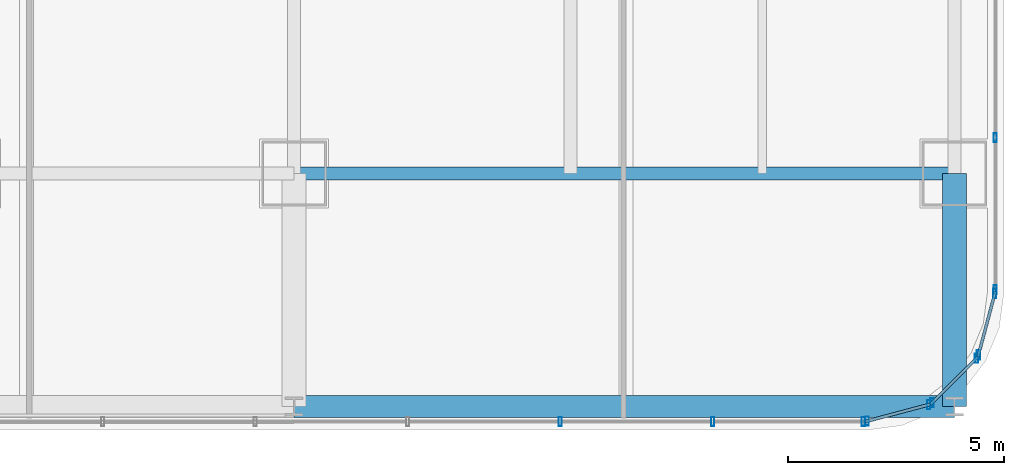
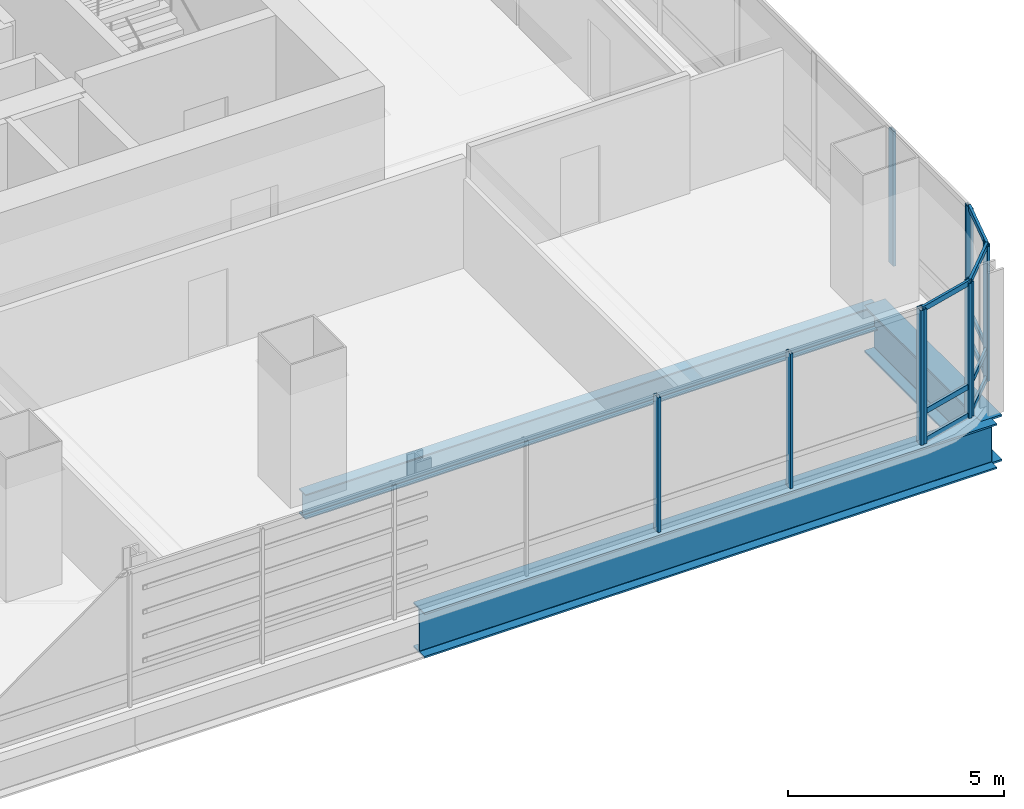
# One storey, part 13 of 36: 20 members, 3 beams, 5 elements without a shape of their own.
"""IFC4 building model written with IfcOpenShell, lengths in metres."""

import ifcopenshell
import ifcopenshell.guid

model = None  # the IFC model being written
_history = None  # IfcOwnerHistory: only IFC2X3 demands one
_inside = {}  # id of a spatial element -> (the spatial element, [elements in it])
_under = {}  # id of a project, library or spatial element -> (it, [spatial elements below it])
_declared = {}  # id of a project -> (the project, [libraries it declares])
_typed = {}  # id of a type object -> (the type object, [elements of that type])
_made_of = {}  # id of a material, layer set ... -> (it, [elements and type objects made of it])


def new_model(schema):
    """Start an empty IFC model of exactly this schema.

    Asked for "IFC4X3", IfcOpenShell would pick the latest addendum, in which some entities
    have other attributes; the version numbers below select the first issue.
    IFC2X3 requires an IfcOwnerHistory on every rooted entity: one is made here for all.
    """
    global model, _history
    if schema == "IFC4X3":
        model = ifcopenshell.file(schema_version=(4, 3, 0, 0))
    else:
        model = ifcopenshell.file(schema=schema)
    _inside.clear()
    _under.clear()
    _declared.clear()
    _typed.clear()
    _made_of.clear()
    _history = None
    if model.schema == "IFC2X3":
        org = make("IfcOrganization", Name="unknown")
        user = make(
            "IfcPersonAndOrganization",
            ThePerson=make("IfcPerson", FamilyName="unknown"),
            TheOrganization=org,
        )
        app = make(
            "IfcApplication",
            ApplicationDeveloper=org,
            Version="unknown",
            ApplicationFullName="unknown",
            ApplicationIdentifier="unknown",
        )
        _history = make(
            "IfcOwnerHistory",
            OwningUser=user,
            OwningApplication=app,
            ChangeAction="ADDED",
            CreationDate=0,
        )
    return model


def make(cls, **values):
    """One entity of the class cls with the attributes given. An attribute that is None is left unset."""
    return model.create_entity(
        cls, **{name: value for name, value in values.items() if value is not None}
    )


def rooted(cls, **values):
    """An entity with a GlobalId (a new one), such as an element, a storey or a relation."""
    return make(cls, GlobalId=ifcopenshell.guid.new(), OwnerHistory=_history, **values)


def si_unit(unit_type, name, prefix=None):
    """IfcSIUnit, for example si_unit("LENGTHUNIT", "METRE", prefix="MILLI")."""
    return make("IfcSIUnit", UnitType=unit_type, Prefix=prefix, Name=name)


def assignment(units):
    """IfcUnitAssignment: the units of a project."""
    return None if units is None else make("IfcUnitAssignment", Units=units)


def point(xyz):
    """IfcCartesianPoint."""
    return None if xyz is None else make("IfcCartesianPoint", Coordinates=xyz)


def direction(xyz):
    """IfcDirection."""
    return None if xyz is None else make("IfcDirection", DirectionRatios=xyz)


def frame(location, z_axis=None, x_axis=None):
    """IfcAxis2Placement3D, a coordinate frame: its origin and axes. An axis left out is left unset."""
    return make(
        "IfcAxis2Placement3D",
        Location=point(location),
        Axis=direction(z_axis),
        RefDirection=direction(x_axis),
    )


def frame_2d(location, x_axis=None):
    """IfcAxis2Placement2D, a coordinate frame in the plane: its origin and x axis."""
    return make(
        "IfcAxis2Placement2D", Location=point(location), RefDirection=direction(x_axis)
    )


def origin():
    """The frame at (0, 0, 0) with its axes left unset."""
    return frame((0.0, 0.0, 0.0))


def origin_2d():
    """The frame at (0, 0) in the plane with its x axis left unset."""
    return frame_2d((0.0, 0.0))


def place(relative_to, where):
    """IfcLocalPlacement: puts the frame where relative to a parent placement (None: the world)."""
    return make(
        "IfcLocalPlacement", PlacementRelTo=relative_to, RelativePlacement=where
    )


def context(
    kind, dimensions, precision=None, world=None, true_north=None, identifier=None
):
    """IfcGeometricRepresentationContext, for example the 3D "Model" context."""
    return make(
        "IfcGeometricRepresentationContext",
        ContextIdentifier=identifier,
        ContextType=kind,
        CoordinateSpaceDimension=dimensions,
        Precision=precision,
        WorldCoordinateSystem=world,
        TrueNorth=true_north,
    )


def subcontext(parent, identifier, kind, view, scale=None):
    """IfcGeometricRepresentationSubContext, for example "Body" below "Model"."""
    return make(
        "IfcGeometricRepresentationSubContext",
        ContextIdentifier=identifier,
        ContextType=kind,
        ParentContext=parent,
        TargetScale=scale,
        TargetView=view,
    )


def project(units=None, contexts=None):
    """IfcProject with its units and contexts."""
    return rooted(
        "IfcProject",
        Name="project",
        RepresentationContexts=contexts,
        UnitsInContext=assignment(units),
    )


def spatial(cls, under=None, at=None, **own):
    """A site, building, storey or space (cls), placed at a placement, below another one or the project."""
    s = rooted(cls, ObjectPlacement=at, **own)
    if under is not None:
        _under.setdefault(under.id(), (under, []))[1].append(s)
    return s


def profile(cls, at=None, kind="AREA", **sizes):
    """A parametric profile (cls). Its sizes go by their IFC names, for example OverallWidth=200.0."""
    return make(cls, ProfileType=kind, Position=at, **sizes)


def hollow_rectangle(**sizes):
    """IfcRectangleHollowProfileDef."""
    return profile("IfcRectangleHollowProfileDef", **sizes)


def i_section(**sizes):
    """IfcIShapeProfileDef."""
    return profile("IfcIShapeProfileDef", **sizes)


def extrude(swept, where, along, depth):
    """IfcExtrudedAreaSolid: the profile swept, set in the frame where, extruded along a direction by depth."""
    return make(
        "IfcExtrudedAreaSolid",
        SweptArea=swept,
        Position=where,
        ExtrudedDirection=direction(along),
        Depth=depth,
    )


def shape(context_of_items, identifier, shape_type, items):
    """IfcShapeRepresentation: the items that make up one representation, for example the "Body"."""
    return make(
        "IfcShapeRepresentation",
        ContextOfItems=context_of_items,
        RepresentationIdentifier=identifier,
        RepresentationType=shape_type,
        Items=items,
    )


def material(Name=None, Category=None):
    """IfcMaterial."""
    return make("IfcMaterial", Name=Name, Category=Category)


def material_profile(
    of_material, cross_section, Name=None, Category=None, Priority=None
):
    """IfcMaterialProfile: a cross section and its material."""
    return make(
        "IfcMaterialProfile",
        Name=Name,
        Material=of_material,
        Profile=cross_section,
        Priority=Priority,
        Category=Category,
    )


def profile_set(profiles, Name=None, composite=None):
    """IfcMaterialProfileSet."""
    return make(
        "IfcMaterialProfileSet",
        Name=Name,
        MaterialProfiles=profiles,
        CompositeProfile=composite,
    )


def made_of(thing, what):
    """Note that an element or type object is made of a material, layer set ...; save() writes the relation."""
    if what is not None:
        _made_of.setdefault(what.id(), (what, []))[1].append(thing)
    return thing


def type_object(cls, material=None, **own):
    """A type object (cls), such as IfcWallType, which elements share."""
    return made_of(rooted(cls, **own), material)


def element(
    cls,
    number,
    at=None,
    inside=None,
    cuts=None,
    type_object=None,
    material=None,
    context=None,
    identifier="Body",
    shape_type=None,
    held_by="IfcProductDefinitionShape",
    body=None,
    shapes=None,
    **own,
):
    """One element of the class cls, such as IfcWall. Its Tag is "e" and its number.

    at: its placement. inside: the storey or other place that contains it. cuts: it is an
    opening in that element (IfcRelVoidsElement). A single representation is given by context,
    identifier, shape_type and body (its items); several are given by shapes. held_by: the class
    of the entity that holds the representations. save() writes the other relations.
    """
    e = rooted(cls, Tag="e%d" % number, ObjectPlacement=at, **own)
    if body is not None:
        shapes = [shape(context, identifier, shape_type, body)]
    if shapes is not None:
        e.Representation = make(held_by, Representations=shapes)
    if inside is not None:
        _inside.setdefault(inside.id(), (inside, []))[1].append(e)
    if cuts is not None:
        rooted(
            "IfcRelVoidsElement", RelatingBuildingElement=cuts, RelatedOpeningElement=e
        )
    if type_object is not None:
        _typed.setdefault(type_object.id(), (type_object, []))[1].append(e)
    return made_of(e, material)


def aggregate(whole, parts):
    """IfcRelAggregates: a whole, such as a stair, and the parts it consists of."""
    return rooted("IfcRelAggregates", RelatingObject=whole, RelatedObjects=parts)


def save(model, path):
    """Write the relations noted so far, then the file.

    IfcRelAggregates (storeys below a building ...), IfcRelContainedInSpatialStructure (elements
    in a storey), IfcRelDefinesByType, IfcRelAssociatesMaterial and IfcRelDeclares: one each for
    every whole, place, type object, material and project.
    """
    for whole, parts in _under.values():
        aggregate(whole, parts)
    for where, things in _inside.values():
        rooted(
            "IfcRelContainedInSpatialStructure",
            RelatedElements=things,
            RelatingStructure=where,
        )
    for kind, things in _typed.values():
        rooted("IfcRelDefinesByType", RelatedObjects=things, RelatingType=kind)
    for what, things in _made_of.values():
        rooted("IfcRelAssociatesMaterial", RelatedObjects=things, RelatingMaterial=what)
    for by, libraries in _declared.values():
        rooted("IfcRelDeclares", RelatingContext=by, RelatedDefinitions=libraries)
    model.write(path)


model = new_model("IFC4")

# Units and contexts
model_context = context("Model", 3, precision=1e-05, world=origin(), true_north=direction((0.0, 1.0)))
body_context = subcontext(model_context, "Body", "Model", "MODEL_VIEW")
ifc_project = project(units=[si_unit("LENGTHUNIT", "METRE"), si_unit("AREAUNIT", "SQUARE_METRE"), si_unit("VOLUMEUNIT", "CUBIC_METRE"), si_unit("PLANEANGLEUNIT", "RADIAN"), si_unit("MASSUNIT", "GRAM", prefix="KILO")], contexts=[model_context])

# Site, building, storey
site_placement = place(None, origin())
site = spatial("IfcSite", under=ifc_project, at=site_placement, CompositionType="ELEMENT")
building_placement = place(site_placement, origin())
building = spatial("IfcBuilding", under=site, at=building_placement, Name="Punatoya Terracotta Tower", CompositionType="ELEMENT")
storey_placement = place(building_placement, frame((0.0, 0.0, 40.35009765625)))
storey = spatial("IfcBuildingStorey", under=building, at=storey_placement, Name="L08", CompositionType="ELEMENT", Elevation=40.35009765625)

# Beams
ifc_material_1 = material(Name="Steel S355", Category="steel")
ifc_material_profile_1 = material_profile(ifc_material_1, i_section(OverallWidth=0.300048828125, OverallDepth=0.699951171875, WebThickness=0.01708984375, FlangeThickness=0.031982421875, FilletRadius=0.01806640625, at=origin_2d()))
ifc_profile_set_1 = profile_set([ifc_material_profile_1], Name="Steel S355")
beam_type_1 = type_object("IfcBeamType", Name="BM-PRI-700", PredefinedType="BEAM", material=ifc_profile_set_1)
beam_1_placement = place(storey_placement, frame((3.800048828125, -17.5, -0.590087890625), z_axis=(1.0, 0.0, 0.0), x_axis=(0.0, 1.0, 0.0)))
element("IfcBeam", 1, at=beam_1_placement, inside=storey, type_object=beam_type_1, Name="BM-L08-RG-S3", PredefinedType="BEAM", context=body_context, shape_type="SweptSolid", body=[
    extrude(i_section(OverallWidth=0.300048828125, OverallDepth=0.699951171875, WebThickness=0.01708984375, FlangeThickness=0.031982421875, FilletRadius=0.01806640625, at=origin_2d()), origin(), (0.0, 0.0, 1.0), 15.300048828125),
])
ifc_material_2 = material(Name="Steel S460", Category="steel")
ifc_material_profile_2 = material_profile(ifc_material_2, i_section(OverallWidth=0.56005859375, OverallDepth=1.320068359375, WebThickness=0.035888671875, FlangeThickness=0.054931640625, FilletRadius=0.01806640625, at=origin_2d()))
ifc_profile_set_2 = profile_set([ifc_material_profile_2], Name="Steel S460")
beam_type_2 = type_object("IfcBeamType", Name="BM-TG-BLK", PredefinedType="BEAM", material=ifc_profile_set_2)
beam_2_placement = place(storey_placement, frame((19.10009765625, -22.89990234375, -0.900146484375), z_axis=(0.0, 1.0, 0.0), x_axis=(-1.0, 0.0, 0.0)))
element("IfcBeam", 2, at=beam_2_placement, inside=storey, type_object=beam_type_2, Name="BM-L08-CANT-S4", PredefinedType="BEAM", context=body_context, shape_type="SweptSolid", body=[
    extrude(i_section(OverallWidth=0.56005859375, OverallDepth=1.320068359375, WebThickness=0.035888671875, FlangeThickness=0.054931640625, FilletRadius=0.01806640625, at=origin_2d()), origin(), (0.0, 0.0, 1.0), 5.39990234375),
])
ifc_material_profile_3 = material_profile(ifc_material_2, i_section(OverallWidth=0.52001953125, OverallDepth=1.280029296875, WebThickness=0.031982421875, FlangeThickness=0.050048828125, FilletRadius=0.01806640625, at=origin_2d()))
ifc_profile_set_3 = profile_set([ifc_material_profile_3], Name="Steel S460")
beam_type_3 = type_object("IfcBeamType", Name="BM-TG-NCK", PredefinedType="BEAM", material=ifc_profile_set_3)
beam_3_placement = place(storey_placement, frame((3.800048828125, -22.89990234375, -0.880126953125), z_axis=(1.0, 0.0, 0.0), x_axis=(0.0, 1.0, 0.0)))
element("IfcBeam", 3, at=beam_3_placement, inside=storey, type_object=beam_type_3, Name="BM-L08-PER-S3", PredefinedType="BEAM", context=body_context, shape_type="SweptSolid", body=[
    extrude(i_section(OverallWidth=0.52001953125, OverallDepth=1.280029296875, WebThickness=0.031982421875, FlangeThickness=0.050048828125, FilletRadius=0.01806640625, at=origin_2d()), origin(), (0.0, 0.0, 1.0), 15.300048828125),
])

# Curtain wall, members
ifc_material_3 = material(Name="Aluminium 6063-T6 + Double Low-E Glass", Category="aluminium")
curtain_wall_type = type_object("IfcCurtainWallType", Name="CW-M1", PredefinedType="NOTDEFINED", material=ifc_material_3)
curtain_wall_1_placement = place(storey_placement, origin())
curtain_wall_1 = element("IfcCurtainWall", 4, at=curtain_wall_1_placement, inside=storey, type_object=curtain_wall_type, Name="L08 Curtain Wall CW-L08-S01-1", PredefinedType="NOTDEFINED")
ifc_material_4 = material(Name="Aluminium 6063-T6", Category="aluminium")
ifc_material_profile_4 = material_profile(ifc_material_4, hollow_rectangle(XDim=0.074951171875, YDim=0.2099609375, WallThickness=0.00439453125, at=origin_2d()))
ifc_profile_set_4 = profile_set([ifc_material_profile_4], Name="Aluminium 6063-T6")
member_type_1 = type_object("IfcMemberType", Name="CW-MUL-M1", PredefinedType="MULLION", material=ifc_profile_set_4)
member_1_placement = place(storey_placement, frame((9.968994140625, -23.25, 0.0), z_axis=(0.0, 0.0, 1.0), x_axis=(1.0, 0.0, 0.0)))
member_1 = element("IfcMember", 5, at=member_1_placement, type_object=member_type_1, Name="CW-L08-S01-1 Mullion 09", PredefinedType="MULLION", context=body_context, shape_type="SweptSolid", body=[
    extrude(hollow_rectangle(XDim=0.074951171875, YDim=0.2099609375, WallThickness=0.00439453125, at=origin_2d()), origin(), (0.0, 0.0, 1.0), 3.809814453125),
])
member_2_placement = place(storey_placement, frame((13.5029296875, -23.25, 0.0), z_axis=(0.0, 0.0, 1.0), x_axis=(1.0, 0.0, 0.0)))
member_2 = element("IfcMember", 6, at=member_2_placement, type_object=member_type_1, Name="CW-L08-S01-1 Mullion 10", PredefinedType="MULLION", context=body_context, shape_type="SweptSolid", body=[
    extrude(hollow_rectangle(XDim=0.074951171875, YDim=0.2099609375, WallThickness=0.00439453125, at=origin_2d()), origin(), (0.0, 0.0, 1.0), 3.809814453125),
])
member_3_placement = place(storey_placement, frame((16.991943359375, -23.25, 0.0), z_axis=(0.0, 0.0, 1.0), x_axis=(1.0, 0.0, 0.0)))
member_3 = element("IfcMember", 7, at=member_3_placement, type_object=member_type_1, Name="CW-L08-S01-1 Mullion 11", PredefinedType="MULLION", context=body_context, shape_type="SweptSolid", body=[
    extrude(hollow_rectangle(XDim=0.074951171875, YDim=0.2099609375, WallThickness=0.00439453125, at=origin_2d()), origin(), (0.0, 0.0, 1.0), 3.809814453125),
])
aggregate(curtain_wall_1, [member_1, member_2, member_3])

curtain_wall_2_placement = place(storey_placement, origin())
curtain_wall_2 = element("IfcCurtainWall", 8, at=curtain_wall_2_placement, inside=storey, type_object=curtain_wall_type, Name="L08 Curtain Wall CW-L08-CRN02", PredefinedType="NOTDEFINED")
member_4_placement = place(storey_placement, frame((17.080322265625, -23.23828125, 0.0), z_axis=(0.0, 0.0, 1.0), x_axis=(1.0, 0.0, 0.0)))
member_4 = element("IfcMember", 9, at=member_4_placement, type_object=member_type_1, Name="CW-L08-CRN02 Mullion 00", PredefinedType="MULLION", context=body_context, shape_type="SweptSolid", body=[
    extrude(hollow_rectangle(XDim=0.074951171875, YDim=0.2099609375, WallThickness=0.00439453125, at=origin_2d()), origin(), (0.0, 0.0, 1.0), 3.809814453125),
])
member_5_placement = place(storey_placement, frame((18.505615234375, -22.858154296875, 0.0), z_axis=(0.0, 0.0, 1.0), x_axis=(1.0, 0.0, 0.0)))
member_5 = element("IfcMember", 10, at=member_5_placement, type_object=member_type_1, Name="CW-L08-CRN02 Mullion 01", PredefinedType="MULLION", context=body_context, shape_type="SweptSolid", body=[
    extrude(hollow_rectangle(XDim=0.074951171875, YDim=0.2099609375, WallThickness=0.00439453125, at=origin_2d()), origin(), (0.0, 0.0, 1.0), 3.809814453125),
])

curtain_wall_3_placement = place(storey_placement, origin())
curtain_wall_3 = element("IfcCurtainWall", 11, at=curtain_wall_3_placement, inside=storey, type_object=curtain_wall_type, Name="L08 Curtain Wall CW-L08-CRN03", PredefinedType="NOTDEFINED")
member_6_placement = place(storey_placement, frame((18.580810546875, -22.814697265625, 0.0), z_axis=(0.0, 0.0, 1.0), x_axis=(1.0, 0.0, 0.0)))
member_6 = element("IfcMember", 12, at=member_6_placement, type_object=member_type_1, Name="CW-L08-CRN03 Mullion 00", PredefinedType="MULLION", context=body_context, shape_type="SweptSolid", body=[
    extrude(hollow_rectangle(XDim=0.074951171875, YDim=0.2099609375, WallThickness=0.00439453125, at=origin_2d()), origin(), (0.0, 0.0, 1.0), 3.809814453125),
])
member_7_placement = place(storey_placement, frame((19.61474609375, -21.781005859375, 0.0), z_axis=(0.0, 0.0, 1.0), x_axis=(1.0, 0.0, 0.0)))
member_7 = element("IfcMember", 13, at=member_7_placement, type_object=member_type_1, Name="CW-L08-CRN03 Mullion 01", PredefinedType="MULLION", context=body_context, shape_type="SweptSolid", body=[
    extrude(hollow_rectangle(XDim=0.074951171875, YDim=0.2099609375, WallThickness=0.00439453125, at=origin_2d()), origin(), (0.0, 0.0, 1.0), 3.809814453125),
])

curtain_wall_4_placement = place(storey_placement, origin())
curtain_wall_4 = element("IfcCurtainWall", 14, at=curtain_wall_4_placement, inside=storey, type_object=curtain_wall_type, Name="L08 Curtain Wall CW-L08-CRN04", PredefinedType="NOTDEFINED")
member_8_placement = place(storey_placement, frame((19.658203125, -21.70556640625, 0.0), z_axis=(0.0, 0.0, 1.0), x_axis=(1.0, 0.0, 0.0)))
member_8 = element("IfcMember", 15, at=member_8_placement, type_object=member_type_1, Name="CW-L08-CRN04 Mullion 00", PredefinedType="MULLION", context=body_context, shape_type="SweptSolid", body=[
    extrude(hollow_rectangle(XDim=0.074951171875, YDim=0.2099609375, WallThickness=0.00439453125, at=origin_2d()), origin(), (0.0, 0.0, 1.0), 3.809814453125),
])
member_9_placement = place(storey_placement, frame((20.038330078125, -20.280517578125, 0.0), z_axis=(0.0, 0.0, 1.0), x_axis=(1.0, 0.0, 0.0)))
member_9 = element("IfcMember", 16, at=member_9_placement, type_object=member_type_1, Name="CW-L08-CRN04 Mullion 01", PredefinedType="MULLION", context=body_context, shape_type="SweptSolid", body=[
    extrude(hollow_rectangle(XDim=0.074951171875, YDim=0.2099609375, WallThickness=0.00439453125, at=origin_2d()), origin(), (0.0, 0.0, 1.0), 3.809814453125),
])

curtain_wall_5_placement = place(storey_placement, origin())
curtain_wall_5 = element("IfcCurtainWall", 17, at=curtain_wall_5_placement, inside=storey, type_object=curtain_wall_type, Name="L08 Curtain Wall CW-L08-E05-1", PredefinedType="NOTDEFINED")
member_10_placement = place(storey_placement, frame((20.050048828125, -20.19189453125, 0.0), z_axis=(0.0, 0.0, 1.0), x_axis=(1.0, 0.0, 0.0)))
member_10 = element("IfcMember", 18, at=member_10_placement, type_object=member_type_1, Name="CW-L08-E05-1 Mullion 00", PredefinedType="MULLION", context=body_context, shape_type="SweptSolid", body=[
    extrude(hollow_rectangle(XDim=0.074951171875, YDim=0.2099609375, WallThickness=0.00439453125, at=origin_2d()), origin(), (0.0, 0.0, 1.0), 3.809814453125),
])
member_11_placement = place(storey_placement, frame((20.050048828125, -16.66943359375, 0.0), z_axis=(0.0, 0.0, 1.0), x_axis=(1.0, 0.0, 0.0)))
member_11 = element("IfcMember", 19, at=member_11_placement, type_object=member_type_1, Name="CW-L08-E05-1 Mullion 01", PredefinedType="MULLION", context=body_context, shape_type="SweptSolid", body=[
    extrude(hollow_rectangle(XDim=0.074951171875, YDim=0.2099609375, WallThickness=0.00439453125, at=origin_2d()), origin(), (0.0, 0.0, 1.0), 3.809814453125),
])
aggregate(curtain_wall_5, [member_10, member_11])

# Member
ifc_material_profile_5 = material_profile(ifc_material_4, hollow_rectangle(XDim=0.068115234375, YDim=0.14990234375, WallThickness=0.00390625, at=origin_2d()))
ifc_profile_set_5 = profile_set([ifc_material_profile_5], Name="Aluminium 6063-T6")
member_type_2 = type_object("IfcMemberType", Name="CW-TRN-TYP", PredefinedType="USERDEFINED", material=ifc_profile_set_5)
member_12_placement = place(storey_placement, frame((17.036865234375, -23.25, 0.039794921875), z_axis=(0.966224582397, 0.257701486942, 0.0), x_axis=(-0.257701486942, 0.966224582397, 0.0)))
member_12 = element("IfcMember", 20, at=member_12_placement, type_object=member_type_2, Name="CW-L08-CRN02 Transom 1", ObjectType="TRANSOM", PredefinedType="USERDEFINED", context=body_context, shape_type="SweptSolid", body=[
    extrude(hollow_rectangle(XDim=0.068115234375, YDim=0.14990234375, WallThickness=0.00390625, at=origin_2d()), origin(), (0.0, 0.0, 1.0), 1.565185546875),
])

member_13_placement = place(storey_placement, frame((17.036865234375, -23.25, 0.849853515625), z_axis=(0.966224582397, 0.257701486942, 0.0), x_axis=(-0.257701486942, 0.966224582397, 0.0)))
member_13 = element("IfcMember", 21, at=member_13_placement, type_object=member_type_2, Name="CW-L08-CRN02 Transom 2", ObjectType="TRANSOM", PredefinedType="USERDEFINED", context=body_context, shape_type="SweptSolid", body=[
    extrude(hollow_rectangle(XDim=0.068115234375, YDim=0.14990234375, WallThickness=0.00390625, at=origin_2d()), origin(), (0.0, 0.0, 1.0), 1.565185546875),
])

member_14_placement = place(storey_placement, frame((17.036865234375, -23.25, 3.77001953125), z_axis=(0.966224582397, 0.257701486942, 0.0), x_axis=(-0.257701486942, 0.966224582397, 0.0)))
member_14 = element("IfcMember", 22, at=member_14_placement, type_object=member_type_2, Name="CW-L08-CRN02 Transom 3", ObjectType="TRANSOM", PredefinedType="USERDEFINED", context=body_context, shape_type="SweptSolid", body=[
    extrude(hollow_rectangle(XDim=0.068115234375, YDim=0.14990234375, WallThickness=0.00390625, at=origin_2d()), origin(), (0.0, 0.0, 1.0), 1.565185546875),
])

aggregate(curtain_wall_2, [member_4, member_5, member_12, member_13, member_14])

member_15_placement = place(storey_placement, frame((18.549072265625, -22.8466796875, 0.039794921875), z_axis=(0.707028130747, 0.707185422879, 0.0), x_axis=(-0.707185422879, 0.707028130747, 0.0)))
member_15 = element("IfcMember", 23, at=member_15_placement, type_object=member_type_2, Name="CW-L08-CRN03 Transom 1", ObjectType="TRANSOM", PredefinedType="USERDEFINED", context=body_context, shape_type="SweptSolid", body=[
    extrude(hollow_rectangle(XDim=0.068115234375, YDim=0.14990234375, WallThickness=0.00390625, at=origin_2d()), origin(), (0.0, 0.0, 1.0), 1.55224609375),
])

member_16_placement = place(storey_placement, frame((18.549072265625, -22.8466796875, 0.849853515625), z_axis=(0.707028130747, 0.707185422879, 0.0), x_axis=(-0.707185422879, 0.707028130747, 0.0)))
member_16 = element("IfcMember", 24, at=member_16_placement, type_object=member_type_2, Name="CW-L08-CRN03 Transom 2", ObjectType="TRANSOM", PredefinedType="USERDEFINED", context=body_context, shape_type="SweptSolid", body=[
    extrude(hollow_rectangle(XDim=0.068115234375, YDim=0.14990234375, WallThickness=0.00390625, at=origin_2d()), origin(), (0.0, 0.0, 1.0), 1.55224609375),
])

member_17_placement = place(storey_placement, frame((18.549072265625, -22.8466796875, 3.77001953125), z_axis=(0.707028130747, 0.707185422879, 0.0), x_axis=(-0.707185422879, 0.707028130747, 0.0)))
member_17 = element("IfcMember", 25, at=member_17_placement, type_object=member_type_2, Name="CW-L08-CRN03 Transom 3", ObjectType="TRANSOM", PredefinedType="USERDEFINED", context=body_context, shape_type="SweptSolid", body=[
    extrude(hollow_rectangle(XDim=0.068115234375, YDim=0.14990234375, WallThickness=0.00390625, at=origin_2d()), origin(), (0.0, 0.0, 1.0), 1.55224609375),
])

aggregate(curtain_wall_3, [member_6, member_7, member_15, member_16, member_17])

member_18_placement = place(storey_placement, frame((19.646484375, -21.7490234375, 0.039794921875), z_axis=(0.257847112249, 0.966185730957, 0.0), x_axis=(-0.966185730957, 0.257847112249, 0.0)))
member_18 = element("IfcMember", 26, at=member_18_placement, type_object=member_type_2, Name="CW-L08-CRN04 Transom 1", ObjectType="TRANSOM", PredefinedType="USERDEFINED", context=body_context, shape_type="SweptSolid", body=[
    extrude(hollow_rectangle(XDim=0.068115234375, YDim=0.14990234375, WallThickness=0.00390625, at=origin_2d()), origin(), (0.0, 0.0, 1.0), 1.565185546875),
])

member_19_placement = place(storey_placement, frame((19.646484375, -21.7490234375, 0.849853515625), z_axis=(0.257847112249, 0.966185730957, 0.0), x_axis=(-0.966185730957, 0.257847112249, 0.0)))
member_19 = element("IfcMember", 27, at=member_19_placement, type_object=member_type_2, Name="CW-L08-CRN04 Transom 2", ObjectType="TRANSOM", PredefinedType="USERDEFINED", context=body_context, shape_type="SweptSolid", body=[
    extrude(hollow_rectangle(XDim=0.068115234375, YDim=0.14990234375, WallThickness=0.00390625, at=origin_2d()), origin(), (0.0, 0.0, 1.0), 1.565185546875),
])

member_20_placement = place(storey_placement, frame((19.646484375, -21.7490234375, 3.77001953125), z_axis=(0.257847112249, 0.966185730957, 0.0), x_axis=(-0.966185730957, 0.257847112249, 0.0)))
member_20 = element("IfcMember", 28, at=member_20_placement, type_object=member_type_2, Name="CW-L08-CRN04 Transom 3", ObjectType="TRANSOM", PredefinedType="USERDEFINED", context=body_context, shape_type="SweptSolid", body=[
    extrude(hollow_rectangle(XDim=0.068115234375, YDim=0.14990234375, WallThickness=0.00390625, at=origin_2d()), origin(), (0.0, 0.0, 1.0), 1.565185546875),
])

aggregate(curtain_wall_4, [member_8, member_9, member_18, member_19, member_20])

save(model, "model.ifc")
